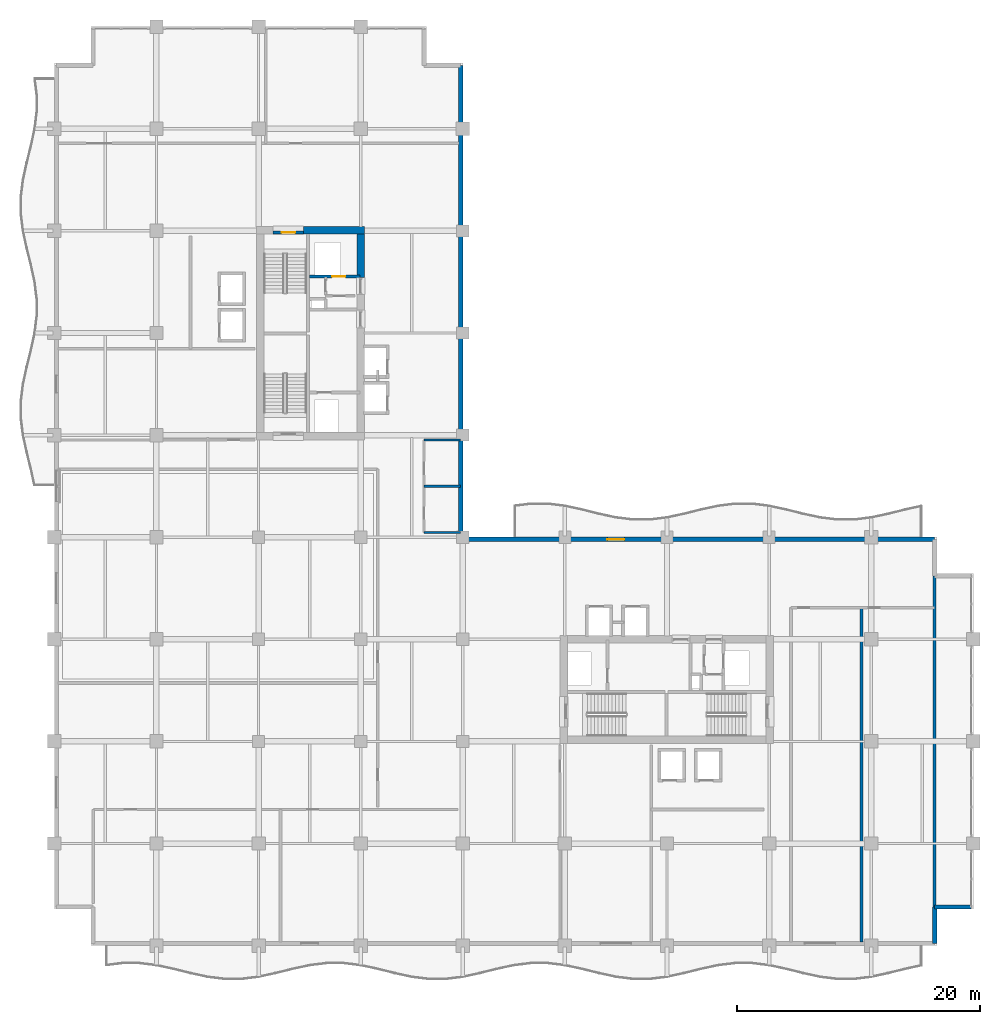
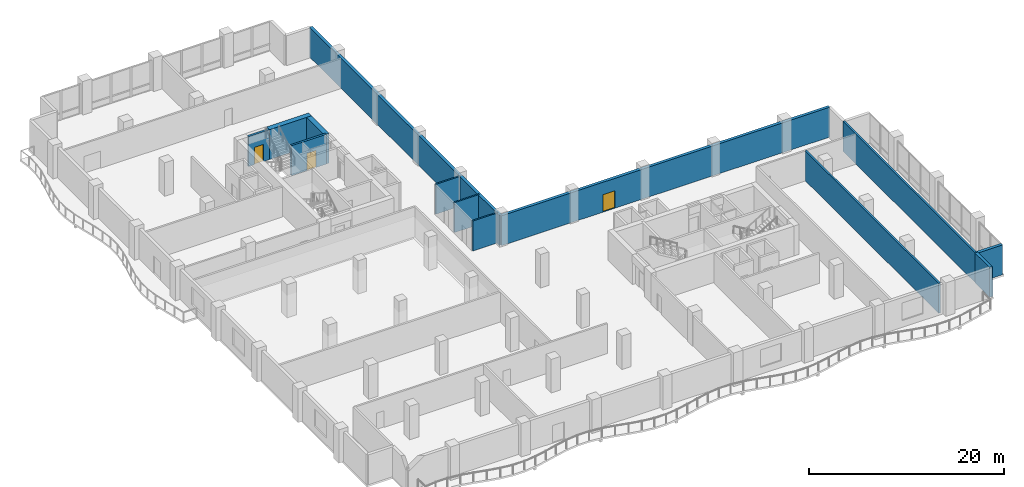
# One storey, part 14 of 21: 13 walls, 3 doors, 3 openings.
"""IFC4 building model written with IfcOpenShell, lengths in metres."""

from ifc_helpers import new_model, si_unit, direction, frame, frame_2d, origin, place, context, subcontext, project, spatial, rectangle, extrude, material, layer, layer_set, type_object, element, fill, save


model = new_model("IFC4")

# Units and contexts
model_context = context("Model", 3, precision=1e-05, world=origin(), true_north=direction((0.0, 1.0)))
body_context = subcontext(model_context, "Body", "Model", "MODEL_VIEW")
ifc_project = project(units=[si_unit("LENGTHUNIT", "METRE"), si_unit("AREAUNIT", "SQUARE_METRE"), si_unit("VOLUMEUNIT", "CUBIC_METRE"), si_unit("PLANEANGLEUNIT", "RADIAN"), si_unit("MASSUNIT", "GRAM", prefix="KILO")], contexts=[model_context])

# Site, building, storey
site_placement = place(None, origin())
site = spatial("IfcSite", under=ifc_project, at=site_placement, CompositionType="ELEMENT")
building_placement = place(site_placement, origin())
building = spatial("IfcBuilding", under=site, at=building_placement, Name="Koriwani Terraces Tower", CompositionType="ELEMENT")
storey_placement = place(building_placement, frame((0.0, 0.0, 224.0)))
storey = spatial("IfcBuildingStorey", under=building, at=storey_placement, Name="L55", CompositionType="ELEMENT", Elevation=224.0)

# Walls
ifc_material_1 = material(Name="Concrete C60/75", Category="concrete")
ifc_layer_1 = layer(ifc_material_1, 0.60009765625, Name="Concrete C60/75")
ifc_layer_set_1 = layer_set([ifc_layer_1], Name="Concrete C60/75")
wall_type_1 = type_object("IfcWallType", Name="WALL_CORE_RC_600", PredefinedType="SHEAR", material=ifc_layer_set_1)
wall_1_placement = place(storey_placement, frame((20.5, 58.85009765625, 0.0), z_axis=(0.0, 0.0, 1.0), x_axis=(1.0, 0.0, 0.0)))
element("IfcWall", 1, at=wall_1_placement, inside=storey, type_object=wall_type_1, Name="L55 West Split Core Shear Wall N2", PredefinedType="SHEAR", context=body_context, shape_type="SweptSolid", body=[
    extrude(rectangle(XDim=5.0, YDim=0.60009765625, at=frame_2d((2.5, 0.0))), origin(), (0.0, 0.0, 1.0), 3.75),
])
wall_2_placement = place(storey_placement, frame((25.199951171875, 54.949951171875, 0.0), z_axis=(0.0, 0.0, 1.0), x_axis=(0.0, 1.0, 0.0)))
element("IfcWall", 2, at=wall_2_placement, inside=storey, type_object=wall_type_1, Name="L55 West Split Core Shear Wall E3", PredefinedType="SHEAR", context=body_context, shape_type="SweptSolid", body=[
    extrude(rectangle(XDim=3.60009765625, YDim=0.60009765625, at=frame_2d((1.800048828125, 0.0))), origin(), (0.0, 0.0, 1.0), 3.75),
])
ifc_material_2 = material(Name="Autoclaved Cellular Concrete Blockwork", Category="masonry")
ifc_layer_2 = layer(ifc_material_2, 0.219970703125, Name="Autoclaved Cellular Concrete Blockwork")
ifc_layer_set_2 = layer_set([ifc_layer_2], Name="Autoclaved Cellular Concrete Blockwork")
wall_type_2 = type_object("IfcWallType", Name="WALL_DEMISING_220", PredefinedType="PARTITIONING", material=ifc_layer_set_2)
wall_3_placement = place(storey_placement, frame((72.39990234375, 3.0, 0.0), z_axis=(0.0, 0.0, 1.0), x_axis=(0.0, 1.0, 0.0)))
element("IfcWall", 3, at=wall_3_placement, inside=storey, type_object=wall_type_2, Name="L55 Interior Wall WSKY-EE-L55", PredefinedType="PARTITIONING", context=body_context, shape_type="SweptSolid", body=[
    extrude(rectangle(XDim=27.39990234375, YDim=0.219970703125, at=frame_2d((13.699951171875, 0.0))), origin(), (0.0, 0.0, 1.0), 3.75),
])
wall_4_placement = place(storey_placement, frame((66.39990234375, 0.300048828125, 0.0), z_axis=(0.0, 0.0, 1.0), x_axis=(0.0, 1.0, 0.0)))
element("IfcWall", 4, at=wall_4_placement, inside=storey, type_object=wall_type_2, Name="L55 Interior Wall WSKY-EDIV-L55", PredefinedType="PARTITIONING", context=body_context, shape_type="SweptSolid", body=[
    extrude(rectangle(XDim=27.5, YDim=0.219970703125, at=frame_2d((13.75, 0.0))), origin(), (0.0, 0.0, 1.0), 3.75),
])
ifc_material_3 = material(Name="Concrete C50/60", Category="concrete")
ifc_layer_3 = layer(ifc_material_3, 0.35009765625, Name="Concrete C50/60")
ifc_layer_set_3 = layer_set([ifc_layer_3], Name="Concrete C50/60")
wall_type_3 = type_object("IfcWallType", Name="WALL_EXT_BRUTALIST_350", PredefinedType="STANDARD", material=ifc_layer_set_3)
wall_5_placement = place(storey_placement, frame((33.425048828125, 72.425048828125, 0.0), z_axis=(0.0, 0.0, 1.0), x_axis=(0.0, -1.0, 0.0)))
element("IfcWall", 5, at=wall_5_placement, inside=storey, type_object=wall_type_3, Name="L55 Fair-Faced Brutalist Exterior Wall (NW_IN)", PredefinedType="STANDARD", context=body_context, shape_type="SweptSolid", body=[
    extrude(rectangle(XDim=39.0, YDim=0.35009765625, at=frame_2d((19.5, 0.0))), origin(), (0.0, 0.0, 1.0), 3.75),
])

# Wall, opening, door
wall_6_placement = place(storey_placement, frame((33.425048828125, 33.425048828125, 0.0), z_axis=(0.0, 0.0, 1.0), x_axis=(1.0, 0.0, 0.0)))
wall_6 = element("IfcWall", 6, at=wall_6_placement, inside=storey, type_object=wall_type_3, Name="L55 Fair-Faced Brutalist Exterior Wall (NE)", PredefinedType="STANDARD", context=body_context, shape_type="SweptSolid", body=[
    extrude(rectangle(XDim=39.0, YDim=0.35009765625, at=frame_2d((19.5, 0.0))), origin(), (0.0, 0.0, 1.0), 3.75),
])
opening_1_placement = place(wall_6_placement, frame((12.074951171875, 0.0, 0.0)))
opening_1 = element("IfcOpeningElement", 7, at=opening_1_placement, cuts=wall_6, Name="Opening D-09", PredefinedType="OPENING", context=body_context, shape_type="SweptSolid", body=[
    extrude(rectangle(XDim=1.39990234375, YDim=2.199951171875, at=frame_2d((0.699951171875, 1.10009765625))), frame((0.0, 0.18505859375, 0.0), z_axis=(0.0, -1.0, 0.0), x_axis=(1.0, 0.0, 0.0)), (0.0, 0.0, 1.0), 0.3701171875),
])
ifc_material_4 = material(Name="Anodised Bronze Aluminium", Category="aluminium")
door_type_1 = type_object("IfcDoorType", Name="DOOR_BALCONY_GLAZED_1400X2200", OperationType="NOTDEFINED", PredefinedType="DOOR", material=ifc_material_4)
door_1_placement = place(opening_1_placement, origin())
door_1 = element("IfcDoor", 8, at=door_1_placement, inside=storey, type_object=door_type_1, Name="L55 Inner Court Balcony Glazed Door", OperationType="SINGLE_SWING_LEFT", OverallHeight=2.199951171875, OverallWidth=1.39990234375, PredefinedType="DOOR", context=body_context, shape_type="SweptSolid", body=[
    extrude(rectangle(XDim=1.39990234375, YDim=2.199951171875, at=frame_2d((0.699951171875, 1.10009765625))), frame((0.0, 0.02490234375, 0.0), z_axis=(0.0, -1.0, 0.0), x_axis=(1.0, 0.0, 0.0)), (0.0, 0.0, 1.0), 0.050048828125),
])
fill(opening_1, door_1)

# Walls
for number, where, z_axis, x_axis, name in (
    (9, (75.425048828125, 3.175048828125, 0.0), (0.0, 0.0, 1.0), (-1.0, 0.0, 0.0), "L55 Fair-Faced Brutalist Exterior Wall (N13)"),
    (10, (72.425048828125, 3.175048828125, 0.0), (0.0, 0.0, 1.0), (0.0, -1.0, 0.0), "L55 Fair-Faced Brutalist Exterior Wall (N14)"),
):
    element("IfcWall", number, at=place(storey_placement, frame(where, z_axis=z_axis, x_axis=x_axis)), inside=storey, type_object=wall_type_3, Name=name, PredefinedType="STANDARD", context=body_context, shape_type="SweptSolid", body=[
        extrude(rectangle(XDim=3.0, YDim=0.35009765625, at=frame_2d((1.5, 0.0))), origin(), (0.0, 0.0, 1.0), 3.75),
    ])
ifc_material_5 = material(Name="Fire-Rated Acoustic Gypsum Partition", Category="masonry")
ifc_layer_4 = layer(ifc_material_5, 0.179931640625, Name="Fire-Rated Acoustic Gypsum Partition")
ifc_layer_set_4 = layer_set([ifc_layer_4], Name="Fire-Rated Acoustic Gypsum Partition")
wall_type_4 = type_object("IfcWallType", Name="WALL_PLUMBING_180", PredefinedType="PLUMBINGWALL", material=ifc_layer_set_4)
for number, where, z_axis, x_axis, name in (
    (11, (30.39990234375, 34.0, 0.0), (0.0, 0.0, 1.0), (1.0, 0.0, 0.0), "L55 Interior Wall WSKY-WCS-L55"),
    (12, (30.39990234375, 37.800048828125, 0.0), (0.0, 0.0, 1.0), (1.0, 0.0, 0.0), "L55 Interior Wall WSKY-WCM-L55"),
    (13, (30.39990234375, 41.60009765625, 0.0), (0.0, 0.0, 1.0), (1.0, 0.0, 0.0), "L55 Interior Wall WSKY-WCN-L55"),
):
    element("IfcWall", number, at=place(storey_placement, frame(where, z_axis=z_axis, x_axis=x_axis)), inside=storey, type_object=wall_type_4, Name=name, PredefinedType="PLUMBINGWALL", context=body_context, shape_type="SweptSolid", body=[
        extrude(rectangle(XDim=3.0, YDim=0.179931640625, at=frame_2d((1.5, 0.0))), origin(), (0.0, 0.0, 1.0), 3.75),
    ])

# Wall, opening, door
ifc_material_6 = material(Name="Concrete C40/50", Category="concrete")
ifc_layer_5 = layer(ifc_material_6, 0.25, Name="Concrete C40/50")
ifc_layer_set_5 = layer_set([ifc_layer_5], Name="Concrete C40/50")
wall_type_5 = type_object("IfcWallType", Name="WALL_SHAFT_RATED_250", PredefinedType="SOLIDWALL", material=ifc_layer_set_5)
wall_7_placement = place(storey_placement, frame((18.0, 58.675048828125, 0.0), z_axis=(0.0, 0.0, 1.0), x_axis=(1.0, 0.0, 0.0)))
wall_7 = element("IfcWall", 14, at=wall_7_placement, inside=storey, type_object=wall_type_5, Name="L55 Interior Wall WIN-CW-L55-STN", PredefinedType="SOLIDWALL", context=body_context, shape_type="SweptSolid", body=[
    extrude(rectangle(XDim=2.5, YDim=0.25, at=frame_2d((1.25, 0.0))), origin(), (0.0, 0.0, 1.0), 3.75),
])
opening_2_placement = place(wall_7_placement, frame((0.699951171875, 0.0, 0.0)))
opening_2 = element("IfcOpeningElement", 15, at=opening_2_placement, cuts=wall_7, Name="Opening D-03", PredefinedType="OPENING", context=body_context, shape_type="SweptSolid", body=[
    extrude(rectangle(XDim=1.10009765625, YDim=2.14990234375, at=frame_2d((0.550048828125, 1.074951171875))), frame((0.0, 0.135009765625, 0.0), z_axis=(0.0, -1.0, 0.0), x_axis=(1.0, 0.0, 0.0)), (0.0, 0.0, 1.0), 0.27001953125),
])
ifc_material_7 = material(Name="Steel ASTM A572 Grade 50", Category="steel")
door_type_2 = type_object("IfcDoorType", Name="DOOR_STAIR_FIRE_1100X2150", OperationType="NOTDEFINED", PredefinedType="DOOR", material=ifc_material_7)
door_2_placement = place(opening_2_placement, origin())
door_2 = element("IfcDoor", 16, at=door_2_placement, inside=storey, type_object=door_type_2, Name="L55 Exit Stair ST-W2 Door", OperationType="SINGLE_SWING_RIGHT", OverallHeight=2.14990234375, OverallWidth=1.10009765625, PredefinedType="DOOR", context=body_context, shape_type="SweptSolid", body=[
    extrude(rectangle(XDim=1.10009765625, YDim=2.14990234375, at=frame_2d((0.550048828125, 1.074951171875))), frame((0.0, 0.02490234375, 0.0), z_axis=(0.0, -1.0, 0.0), x_axis=(1.0, 0.0, 0.0)), (0.0, 0.0, 1.0), 0.050048828125),
])
fill(opening_2, door_2)

wall_8_placement = place(storey_placement, frame((21.0, 55.050048828125, 0.0), z_axis=(0.0, 0.0, 1.0), x_axis=(1.0, 0.0, 0.0)))
wall_8 = element("IfcWall", 17, at=wall_8_placement, inside=storey, type_object=wall_type_5, Name="L55 Interior Wall WIN-CW-L55-SE", PredefinedType="SOLIDWALL", context=body_context, shape_type="SweptSolid", body=[
    extrude(rectangle(XDim=4.14990234375, YDim=0.25, at=frame_2d((2.074951171875, 0.0))), origin(), (0.0, 0.0, 1.0), 3.75),
])
opening_3_placement = place(wall_8_placement, frame((1.85009765625, 0.0, 0.0)))
opening_3 = element("IfcOpeningElement", 18, at=opening_3_placement, cuts=wall_8, Name="Opening LD-01", PredefinedType="OPENING", context=body_context, shape_type="SweptSolid", body=[
    extrude(rectangle(XDim=1.10009765625, YDim=2.14990234375, at=frame_2d((0.550048828125, 1.074951171875))), frame((0.0, 0.135009765625, 0.0), z_axis=(0.0, -1.0, 0.0), x_axis=(1.0, 0.0, 0.0)), (0.0, 0.0, 1.0), 0.27001953125),
])
door_type_3 = type_object("IfcDoorType", Name="DOOR_LIFT_LANDING_1100X2200", OperationType="NOTDEFINED", PredefinedType="DOOR", material=ifc_material_7)
door_3_placement = place(opening_3_placement, origin())
door_3 = element("IfcDoor", 19, at=door_3_placement, inside=storey, type_object=door_type_3, Name="L55 Goods Lift SE-01 Landing Door", OperationType="SLIDING_TO_LEFT", OverallHeight=2.14990234375, OverallWidth=1.10009765625, PredefinedType="DOOR", context=body_context, shape_type="SweptSolid", body=[
    extrude(rectangle(XDim=1.10009765625, YDim=2.14990234375, at=frame_2d((0.550048828125, 1.074951171875))), frame((0.0, 0.02490234375, 0.0), z_axis=(0.0, -1.0, 0.0), x_axis=(1.0, 0.0, 0.0)), (0.0, 0.0, 1.0), 0.050048828125),
])
fill(opening_3, door_3)

save(model, "model.ifc")
